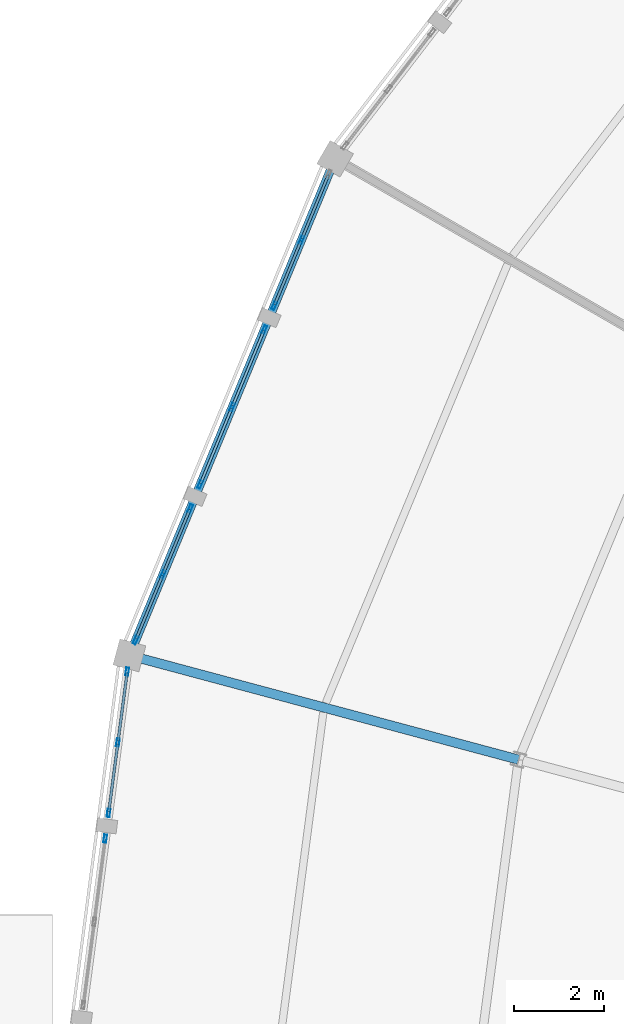
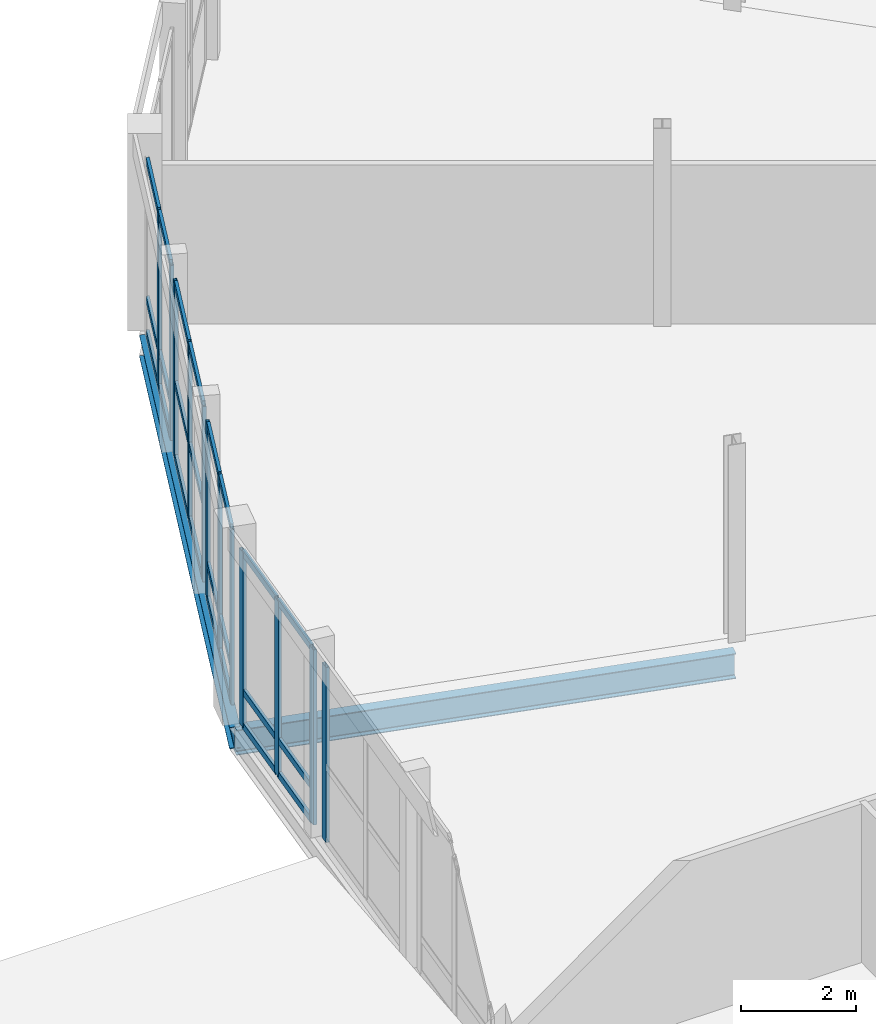
# One storey, part 52 of 170: 36 members, 2 beams, 5 elements without a shape of their own.
"""IFC4 building model written with IfcOpenShell, lengths in metres."""

from ifc_helpers import new_model, si_unit, direction, frame, origin, origin_2d, place, context, subcontext, project, spatial, hollow_rectangle, i_section, extrude, material, material_profile, profile_set, type_object, element, aggregate, save


model = new_model("IFC4")

# Units and contexts
model_context = context("Model", 3, precision=1e-05, world=origin(), true_north=direction((0.0, 1.0)))
body_context = subcontext(model_context, "Body", "Model", "MODEL_VIEW")
ifc_project = project(units=[si_unit("LENGTHUNIT", "METRE"), si_unit("AREAUNIT", "SQUARE_METRE"), si_unit("VOLUMEUNIT", "CUBIC_METRE"), si_unit("PLANEANGLEUNIT", "RADIAN"), si_unit("MASSUNIT", "GRAM", prefix="KILO")], contexts=[model_context])

# Site, building, storey
site_placement = place(None, origin())
site = spatial("IfcSite", under=ifc_project, at=site_placement, CompositionType="ELEMENT")
building_placement = place(site_placement, origin())
building = spatial("IfcBuilding", under=site, at=building_placement, Name="Vondelvale Polytechnic", CompositionType="ELEMENT")
storey_placement = place(building_placement, frame((0.0, 0.0, 5.39990234375)))
storey = spatial("IfcBuildingStorey", under=building, at=storey_placement, Name="L01", CompositionType="ELEMENT", Elevation=5.39990234375)

# Beams
ifc_material_1 = material(Name="Steel 300PLUS (fy = 300 MPa)", Category="steel")
ifc_material_profile_1 = material_profile(ifc_material_1, i_section(OverallWidth=0.18994140625, OverallDepth=0.45703125, WebThickness=0.009033203125, FlangeThickness=0.014404296875, FilletRadius=0.011474609375, at=origin_2d()), Name="460UB74.6")
ifc_profile_set_1 = profile_set([ifc_material_profile_1], Name="Steel 300PLUS (fy = 300 MPa)")
beam_type_1 = type_object("IfcBeamType", Name="BM-UB460", PredefinedType="BEAM", material=ifc_profile_set_1)
beam_1_placement = place(storey_placement, frame((62.162841796875, 95.0, -0.50830078125), z_axis=(-0.382688765072, -0.923877323614, 0.0), x_axis=(0.923877323614, -0.382688765072, 0.0)))
element("IfcBeam", 1, at=beam_1_placement, inside=storey, type_object=beam_type_1, Name="L01 RB B-13", PredefinedType="BEAM", context=body_context, shape_type="SweptSolid", body=[
    extrude(i_section(OverallWidth=0.18994140625, OverallDepth=0.45703125, WebThickness=0.009033203125, FlangeThickness=0.014404296875, FilletRadius=0.011474609375, at=origin_2d()), origin(), (0.0, 0.0, 1.0), 12.00830078125),
])
ifc_material_profile_2 = material_profile(ifc_material_1, i_section(OverallWidth=0.208984375, OverallDepth=0.532958984375, WebThickness=0.01025390625, FlangeThickness=0.015625, FilletRadius=0.013916015625, at=origin_2d()), Name="530UB92.4")
ifc_profile_set_2 = profile_set([ifc_material_profile_2], Name="Steel 300PLUS (fy = 300 MPa)")
beam_type_2 = type_object("IfcBeamType", Name="BM-UB530", PredefinedType="BEAM", material=ifc_profile_set_2)
beam_2_placement = place(storey_placement, frame((66.2607421875, 81.576416015625, -0.54638671875), z_axis=(-0.965926740751, 0.25881563226, 0.0), x_axis=(-0.25881563226, -0.965926740751, 0.0)))
element("IfcBeam", 2, at=beam_2_placement, inside=storey, type_object=beam_type_2, Name="L01 RG B-11", PredefinedType="BEAM", context=body_context, shape_type="SweptSolid", body=[
    extrude(i_section(OverallWidth=0.208984375, OverallDepth=0.532958984375, WebThickness=0.01025390625, FlangeThickness=0.015625, FilletRadius=0.013916015625, at=origin_2d()), origin(), (0.0, 0.0, 1.0), 9.0),
])

# Curtain wall, members
ifc_material_2 = material(Name="Glulam GL18 structural Tasmanian oak (fb = 42 MPa)", Category="wood")
curtain_wall_type = type_object("IfcCurtainWallType", Name="CW-RING-OUTER", PredefinedType="NOTDEFINED", material=ifc_material_2)
curtain_wall_1_placement = place(storey_placement, origin())
curtain_wall_1 = element("IfcCurtainWall", 3, at=curtain_wall_1_placement, inside=storey, type_object=curtain_wall_type, Name="L01 architectural curtain wall CW-04-230", PredefinedType="NOTDEFINED")
ifc_material_3 = material(Name="Anodised extruded aluminium 6063-T6", Category="aluminium")
ifc_material_profile_3 = material_profile(ifc_material_3, hollow_rectangle(XDim=0.06494140625, YDim=0.179931640625, WallThickness=0.00390625, at=origin_2d()), Name="CW-MUL-180x65")
ifc_profile_set_3 = profile_set([ifc_material_profile_3], Name="Anodised extruded aluminium 6063-T6")
member_type_1 = type_object("IfcMemberType", Name="CW-MUL-65x180", PredefinedType="MULLION", material=ifc_profile_set_3)
member_1_placement = place(storey_placement, frame((61.41259765625, 93.18896484375, 0.0), z_axis=(0.0, 0.0, 1.0), x_axis=(0.923882033442, -0.382677394529, 0.0)))
member_1 = element("IfcMember", 4, at=member_1_placement, type_object=member_type_1, Name="CW-04-230 mullion 2", PredefinedType="MULLION", context=body_context, shape_type="SweptSolid", body=[
    extrude(hollow_rectangle(XDim=0.06494140625, YDim=0.179931640625, WallThickness=0.00390625, at=origin_2d()), origin(), (0.0, 0.0, 1.0), 3.72021484375),
])
member_2_placement = place(storey_placement, frame((60.80224609375, 91.71533203125, 0.0), z_axis=(0.0, 0.0, 1.0), x_axis=(0.923882033442, -0.382677394529, 0.0)))
member_2 = element("IfcMember", 5, at=member_2_placement, type_object=member_type_1, Name="CW-04-230 mullion 3", PredefinedType="MULLION", context=body_context, shape_type="SweptSolid", body=[
    extrude(hollow_rectangle(XDim=0.06494140625, YDim=0.179931640625, WallThickness=0.00390625, at=origin_2d()), origin(), (0.0, 0.0, 1.0), 3.72021484375),
])

curtain_wall_2_placement = place(storey_placement, origin())
curtain_wall_2 = element("IfcCurtainWall", 6, at=curtain_wall_2_placement, inside=storey, type_object=curtain_wall_type, Name="L01 architectural curtain wall CW-04-231", PredefinedType="NOTDEFINED")
member_3_placement = place(storey_placement, frame((60.582275390625, 91.18408203125, 0.0), z_axis=(0.0, 0.0, 1.0), x_axis=(0.92387490701, -0.382694599123, 0.0)))
member_3 = element("IfcMember", 7, at=member_3_placement, type_object=member_type_1, Name="CW-04-231 mullion 1", PredefinedType="MULLION", context=body_context, shape_type="SweptSolid", body=[
    extrude(hollow_rectangle(XDim=0.06494140625, YDim=0.179931640625, WallThickness=0.00390625, at=origin_2d()), origin(), (0.0, 0.0, 1.0), 3.72021484375),
])
member_4_placement = place(storey_placement, frame((59.864990234375, 89.452880859375, 0.0), z_axis=(0.0, 0.0, 1.0), x_axis=(0.92387490701, -0.382694599123, 0.0)))
member_4 = element("IfcMember", 8, at=member_4_placement, type_object=member_type_1, Name="CW-04-231 mullion 2", PredefinedType="MULLION", context=body_context, shape_type="SweptSolid", body=[
    extrude(hollow_rectangle(XDim=0.06494140625, YDim=0.179931640625, WallThickness=0.00390625, at=origin_2d()), origin(), (0.0, 0.0, 1.0), 3.72021484375),
])
member_5_placement = place(storey_placement, frame((59.14794921875, 87.721435546875, 0.0), z_axis=(0.0, 0.0, 1.0), x_axis=(0.92387490701, -0.382694599123, 0.0)))
member_5 = element("IfcMember", 9, at=member_5_placement, type_object=member_type_1, Name="CW-04-231 mullion 3", PredefinedType="MULLION", context=body_context, shape_type="SweptSolid", body=[
    extrude(hollow_rectangle(XDim=0.06494140625, YDim=0.179931640625, WallThickness=0.00390625, at=origin_2d()), origin(), (0.0, 0.0, 1.0), 3.72021484375),
])

curtain_wall_3_placement = place(storey_placement, origin())
curtain_wall_3 = element("IfcCurtainWall", 10, at=curtain_wall_3_placement, inside=storey, type_object=curtain_wall_type, Name="L01 architectural curtain wall CW-04-232", PredefinedType="NOTDEFINED")
member_6_placement = place(storey_placement, frame((58.927978515625, 87.190185546875, 0.0), z_axis=(0.0, 0.0, 1.0), x_axis=(0.923882033442, -0.382677394529, 0.0)))
member_6 = element("IfcMember", 11, at=member_6_placement, type_object=member_type_1, Name="CW-04-232 mullion 1", PredefinedType="MULLION", context=body_context, shape_type="SweptSolid", body=[
    extrude(hollow_rectangle(XDim=0.06494140625, YDim=0.179931640625, WallThickness=0.00390625, at=origin_2d()), origin(), (0.0, 0.0, 1.0), 3.72021484375),
])
member_7_placement = place(storey_placement, frame((58.3173828125, 85.716796875, 0.0), z_axis=(0.0, 0.0, 1.0), x_axis=(0.923882033442, -0.382677394529, 0.0)))
member_7 = element("IfcMember", 12, at=member_7_placement, type_object=member_type_1, Name="CW-04-232 mullion 2", PredefinedType="MULLION", context=body_context, shape_type="SweptSolid", body=[
    extrude(hollow_rectangle(XDim=0.06494140625, YDim=0.179931640625, WallThickness=0.00390625, at=origin_2d()), origin(), (0.0, 0.0, 1.0), 3.72021484375),
])
member_8_placement = place(storey_placement, frame((57.70703125, 84.2431640625, 0.0), z_axis=(0.0, 0.0, 1.0), x_axis=(0.923882033442, -0.382677394529, 0.0)))
member_8 = element("IfcMember", 13, at=member_8_placement, type_object=member_type_1, Name="CW-04-232 mullion 3", PredefinedType="MULLION", context=body_context, shape_type="SweptSolid", body=[
    extrude(hollow_rectangle(XDim=0.06494140625, YDim=0.179931640625, WallThickness=0.00390625, at=origin_2d()), origin(), (0.0, 0.0, 1.0), 3.72021484375),
])

curtain_wall_4_placement = place(storey_placement, origin())
curtain_wall_4 = element("IfcCurtainWall", 14, at=curtain_wall_4_placement, inside=storey, type_object=curtain_wall_type, Name="L01 architectural curtain wall CW-04-245", PredefinedType="NOTDEFINED")
member_9_placement = place(storey_placement, frame((57.519775390625, 83.54345703125, 0.0), z_axis=(0.0, 0.0, 1.0), x_axis=(0.991443102996, -0.130539547729, 0.0)))
member_9 = element("IfcMember", 15, at=member_9_placement, type_object=member_type_1, Name="CW-04-245 mullion 1", PredefinedType="MULLION", context=body_context, shape_type="SweptSolid", body=[
    extrude(hollow_rectangle(XDim=0.06494140625, YDim=0.179931640625, WallThickness=0.00390625, at=origin_2d()), origin(), (0.0, 0.0, 1.0), 3.72021484375),
])
member_10_placement = place(storey_placement, frame((57.3115234375, 81.962158203125, 0.0), z_axis=(0.0, 0.0, 1.0), x_axis=(0.991443102996, -0.130539547729, 0.0)))
member_10 = element("IfcMember", 16, at=member_10_placement, type_object=member_type_1, Name="CW-04-245 mullion 2", PredefinedType="MULLION", context=body_context, shape_type="SweptSolid", body=[
    extrude(hollow_rectangle(XDim=0.06494140625, YDim=0.179931640625, WallThickness=0.00390625, at=origin_2d()), origin(), (0.0, 0.0, 1.0), 3.72021484375),
])
member_11_placement = place(storey_placement, frame((57.103271484375, 80.380859375, 0.0), z_axis=(0.0, 0.0, 1.0), x_axis=(0.991443102996, -0.130539547729, 0.0)))
member_11 = element("IfcMember", 17, at=member_11_placement, type_object=member_type_1, Name="CW-04-245 mullion 3", PredefinedType="MULLION", context=body_context, shape_type="SweptSolid", body=[
    extrude(hollow_rectangle(XDim=0.06494140625, YDim=0.179931640625, WallThickness=0.00390625, at=origin_2d()), origin(), (0.0, 0.0, 1.0), 3.72021484375),
])

# Curtain wall, member
curtain_wall_5_placement = place(storey_placement, origin())
curtain_wall_5 = element("IfcCurtainWall", 18, at=curtain_wall_5_placement, inside=storey, type_object=curtain_wall_type, Name="L01 architectural curtain wall CW-04-246", PredefinedType="NOTDEFINED")
member_12_placement = place(storey_placement, frame((57.0283203125, 79.810791015625, 0.0), z_axis=(0.0, 0.0, 1.0), x_axis=(0.991448671082, -0.130497251349, 0.0)))
member_12 = element("IfcMember", 19, at=member_12_placement, type_object=member_type_1, Name="CW-04-246 mullion 1", PredefinedType="MULLION", context=body_context, shape_type="SweptSolid", body=[
    extrude(hollow_rectangle(XDim=0.06494140625, YDim=0.179931640625, WallThickness=0.00390625, at=origin_2d()), origin(), (0.0, 0.0, 1.0), 3.72021484375),
])
aggregate(curtain_wall_5, [member_12])

# Member
ifc_material_profile_4 = material_profile(ifc_material_3, hollow_rectangle(XDim=0.06005859375, YDim=0.139892578125, WallThickness=0.00341796875, at=origin_2d()), Name="CW-TRN-140x60")
ifc_profile_set_4 = profile_set([ifc_material_profile_4], Name="Anodised extruded aluminium 6063-T6")
member_type_2 = type_object("IfcMemberType", Name="CW-TRN-60x140", PredefinedType="USERDEFINED", material=ifc_profile_set_4)
member_13_placement = place(storey_placement, frame((62.0107421875, 94.632568359375, 0.030029296875), z_axis=(-0.382779237206, -0.923839843027, 0.0), x_axis=(0.923839843027, -0.382779237206, 0.0)))
member_13 = element("IfcMember", 20, at=member_13_placement, type_object=member_type_2, Name="CW-04-230 transom 1.1", ObjectType="TRANSOM", PredefinedType="USERDEFINED", context=body_context, shape_type="SweptSolid", body=[
    extrude(hollow_rectangle(XDim=0.06005859375, YDim=0.139892578125, WallThickness=0.00341796875, at=origin_2d()), origin(), (0.0, 0.0, 1.0), 1.530029296875),
])

member_14_placement = place(storey_placement, frame((62.0107421875, 94.632568359375, 0.75), z_axis=(-0.382779237206, -0.923839843027, 0.0), x_axis=(0.923839843027, -0.382779237206, 0.0)))
member_14 = element("IfcMember", 21, at=member_14_placement, type_object=member_type_2, Name="CW-04-230 transom 1.2", ObjectType="TRANSOM", PredefinedType="USERDEFINED", context=body_context, shape_type="SweptSolid", body=[
    extrude(hollow_rectangle(XDim=0.06005859375, YDim=0.139892578125, WallThickness=0.00341796875, at=origin_2d()), origin(), (0.0, 0.0, 1.0), 1.530029296875),
])

member_15_placement = place(storey_placement, frame((62.0107421875, 94.632568359375, 3.690185546875), z_axis=(-0.382779237206, -0.923839843027, 0.0), x_axis=(0.923839843027, -0.382779237206, 0.0)))
member_15 = element("IfcMember", 22, at=member_15_placement, type_object=member_type_2, Name="CW-04-230 transom 1.3", ObjectType="TRANSOM", PredefinedType="USERDEFINED", context=body_context, shape_type="SweptSolid", body=[
    extrude(hollow_rectangle(XDim=0.06005859375, YDim=0.139892578125, WallThickness=0.00341796875, at=origin_2d()), origin(), (0.0, 0.0, 1.0), 1.530029296875),
])

member_16_placement = place(storey_placement, frame((61.400146484375, 93.158935546875, 0.030029296875), z_axis=(-0.382643045304, -0.923896260346, 0.0), x_axis=(0.923896260346, -0.382643045304, 0.0)))
member_16 = element("IfcMember", 23, at=member_16_placement, type_object=member_type_2, Name="CW-04-230 transom 2.1", ObjectType="TRANSOM", PredefinedType="USERDEFINED", context=body_context, shape_type="SweptSolid", body=[
    extrude(hollow_rectangle(XDim=0.06005859375, YDim=0.139892578125, WallThickness=0.00341796875, at=origin_2d()), origin(), (0.0, 0.0, 1.0), 1.530029296875),
])

member_17_placement = place(storey_placement, frame((61.400146484375, 93.158935546875, 0.75), z_axis=(-0.382643045304, -0.923896260346, 0.0), x_axis=(0.923896260346, -0.382643045304, 0.0)))
member_17 = element("IfcMember", 24, at=member_17_placement, type_object=member_type_2, Name="CW-04-230 transom 2.2", ObjectType="TRANSOM", PredefinedType="USERDEFINED", context=body_context, shape_type="SweptSolid", body=[
    extrude(hollow_rectangle(XDim=0.06005859375, YDim=0.139892578125, WallThickness=0.00341796875, at=origin_2d()), origin(), (0.0, 0.0, 1.0), 1.530029296875),
])

member_18_placement = place(storey_placement, frame((61.400146484375, 93.158935546875, 3.690185546875), z_axis=(-0.382643045304, -0.923896260346, 0.0), x_axis=(0.923896260346, -0.382643045304, 0.0)))
member_18 = element("IfcMember", 25, at=member_18_placement, type_object=member_type_2, Name="CW-04-230 transom 2.3", ObjectType="TRANSOM", PredefinedType="USERDEFINED", context=body_context, shape_type="SweptSolid", body=[
    extrude(hollow_rectangle(XDim=0.06005859375, YDim=0.139892578125, WallThickness=0.00341796875, at=origin_2d()), origin(), (0.0, 0.0, 1.0), 1.530029296875),
])

aggregate(curtain_wall_1, [member_1, member_2, member_13, member_14, member_15, member_16, member_17, member_18])

member_19_placement = place(storey_placement, frame((60.56982421875, 91.154052734375, 0.030029296875), z_axis=(-0.382765012338, -0.92384573676, 0.0), x_axis=(0.92384573676, -0.382765012338, 0.0)))
member_19 = element("IfcMember", 26, at=member_19_placement, type_object=member_type_2, Name="CW-04-231 transom 1.1", ObjectType="TRANSOM", PredefinedType="USERDEFINED", context=body_context, shape_type="SweptSolid", body=[
    extrude(hollow_rectangle(XDim=0.06005859375, YDim=0.139892578125, WallThickness=0.00341796875, at=origin_2d()), origin(), (0.0, 0.0, 1.0), 1.808837890625),
])

member_20_placement = place(storey_placement, frame((60.56982421875, 91.154052734375, 1.60009765625), z_axis=(-0.382765012338, -0.92384573676, 0.0), x_axis=(0.92384573676, -0.382765012338, 0.0)))
member_20 = element("IfcMember", 27, at=member_20_placement, type_object=member_type_2, Name="CW-04-231 transom 1.2", ObjectType="TRANSOM", PredefinedType="USERDEFINED", context=body_context, shape_type="SweptSolid", body=[
    extrude(hollow_rectangle(XDim=0.06005859375, YDim=0.139892578125, WallThickness=0.00341796875, at=origin_2d()), origin(), (0.0, 0.0, 1.0), 1.808837890625),
])

member_21_placement = place(storey_placement, frame((60.56982421875, 91.154052734375, 3.690185546875), z_axis=(-0.382765012338, -0.92384573676, 0.0), x_axis=(0.92384573676, -0.382765012338, 0.0)))
member_21 = element("IfcMember", 28, at=member_21_placement, type_object=member_type_2, Name="CW-04-231 transom 1.3", ObjectType="TRANSOM", PredefinedType="USERDEFINED", context=body_context, shape_type="SweptSolid", body=[
    extrude(hollow_rectangle(XDim=0.06005859375, YDim=0.139892578125, WallThickness=0.00341796875, at=origin_2d()), origin(), (0.0, 0.0, 1.0), 1.808837890625),
])

member_22_placement = place(storey_placement, frame((59.852783203125, 89.4228515625, 0.030029296875), z_axis=(-0.382717291485, -0.923865506878, 0.0), x_axis=(0.923865506878, -0.382717291485, 0.0)))
member_22 = element("IfcMember", 29, at=member_22_placement, type_object=member_type_2, Name="CW-04-231 transom 2.1", ObjectType="TRANSOM", PredefinedType="USERDEFINED", context=body_context, shape_type="SweptSolid", body=[
    extrude(hollow_rectangle(XDim=0.06005859375, YDim=0.139892578125, WallThickness=0.00341796875, at=origin_2d()), origin(), (0.0, 0.0, 1.0), 1.80908203125),
])

member_23_placement = place(storey_placement, frame((59.852783203125, 89.4228515625, 1.60009765625), z_axis=(-0.382717291485, -0.923865506878, 0.0), x_axis=(0.923865506878, -0.382717291485, 0.0)))
member_23 = element("IfcMember", 30, at=member_23_placement, type_object=member_type_2, Name="CW-04-231 transom 2.2", ObjectType="TRANSOM", PredefinedType="USERDEFINED", context=body_context, shape_type="SweptSolid", body=[
    extrude(hollow_rectangle(XDim=0.06005859375, YDim=0.139892578125, WallThickness=0.00341796875, at=origin_2d()), origin(), (0.0, 0.0, 1.0), 1.80908203125),
])

member_24_placement = place(storey_placement, frame((59.852783203125, 89.4228515625, 3.690185546875), z_axis=(-0.382717291485, -0.923865506878, 0.0), x_axis=(0.923865506878, -0.382717291485, 0.0)))
member_24 = element("IfcMember", 31, at=member_24_placement, type_object=member_type_2, Name="CW-04-231 transom 2.3", ObjectType="TRANSOM", PredefinedType="USERDEFINED", context=body_context, shape_type="SweptSolid", body=[
    extrude(hollow_rectangle(XDim=0.06005859375, YDim=0.139892578125, WallThickness=0.00341796875, at=origin_2d()), origin(), (0.0, 0.0, 1.0), 1.80908203125),
])

aggregate(curtain_wall_2, [member_3, member_4, member_5, member_19, member_20, member_21, member_22, member_23, member_24])

member_25_placement = place(storey_placement, frame((58.91552734375, 87.16015625, 0.030029296875), z_axis=(-0.382835668721, -0.923816459452, 0.0), x_axis=(0.923816459452, -0.382835668721, 0.0)))
member_25 = element("IfcMember", 32, at=member_25_placement, type_object=member_type_2, Name="CW-04-232 transom 1.1", ObjectType="TRANSOM", PredefinedType="USERDEFINED", context=body_context, shape_type="SweptSolid", body=[
    extrude(hollow_rectangle(XDim=0.06005859375, YDim=0.139892578125, WallThickness=0.00341796875, at=origin_2d()), origin(), (0.0, 0.0, 1.0), 1.52978515625),
])

member_26_placement = place(storey_placement, frame((58.91552734375, 87.16015625, 0.75), z_axis=(-0.382835668721, -0.923816459452, 0.0), x_axis=(0.923816459452, -0.382835668721, 0.0)))
member_26 = element("IfcMember", 33, at=member_26_placement, type_object=member_type_2, Name="CW-04-232 transom 1.2", ObjectType="TRANSOM", PredefinedType="USERDEFINED", context=body_context, shape_type="SweptSolid", body=[
    extrude(hollow_rectangle(XDim=0.06005859375, YDim=0.139892578125, WallThickness=0.00341796875, at=origin_2d()), origin(), (0.0, 0.0, 1.0), 1.52978515625),
])

member_27_placement = place(storey_placement, frame((58.91552734375, 87.16015625, 3.690185546875), z_axis=(-0.382835668721, -0.923816459452, 0.0), x_axis=(0.923816459452, -0.382835668721, 0.0)))
member_27 = element("IfcMember", 34, at=member_27_placement, type_object=member_type_2, Name="CW-04-232 transom 1.3", ObjectType="TRANSOM", PredefinedType="USERDEFINED", context=body_context, shape_type="SweptSolid", body=[
    extrude(hollow_rectangle(XDim=0.06005859375, YDim=0.139892578125, WallThickness=0.00341796875, at=origin_2d()), origin(), (0.0, 0.0, 1.0), 1.52978515625),
])

member_28_placement = place(storey_placement, frame((58.30517578125, 85.686767578125, 0.030029296875), z_axis=(-0.382779237206, -0.923839843027, 0.0), x_axis=(0.923839843027, -0.382779237206, 0.0)))
member_28 = element("IfcMember", 35, at=member_28_placement, type_object=member_type_2, Name="CW-04-232 transom 2.1", ObjectType="TRANSOM", PredefinedType="USERDEFINED", context=body_context, shape_type="SweptSolid", body=[
    extrude(hollow_rectangle(XDim=0.06005859375, YDim=0.139892578125, WallThickness=0.00341796875, at=origin_2d()), origin(), (0.0, 0.0, 1.0), 1.530029296875),
])

member_29_placement = place(storey_placement, frame((58.30517578125, 85.686767578125, 0.75), z_axis=(-0.382779237206, -0.923839843027, 0.0), x_axis=(0.923839843027, -0.382779237206, 0.0)))
member_29 = element("IfcMember", 36, at=member_29_placement, type_object=member_type_2, Name="CW-04-232 transom 2.2", ObjectType="TRANSOM", PredefinedType="USERDEFINED", context=body_context, shape_type="SweptSolid", body=[
    extrude(hollow_rectangle(XDim=0.06005859375, YDim=0.139892578125, WallThickness=0.00341796875, at=origin_2d()), origin(), (0.0, 0.0, 1.0), 1.530029296875),
])

member_30_placement = place(storey_placement, frame((58.30517578125, 85.686767578125, 3.690185546875), z_axis=(-0.382779237206, -0.923839843027, 0.0), x_axis=(0.923839843027, -0.382779237206, 0.0)))
member_30 = element("IfcMember", 37, at=member_30_placement, type_object=member_type_2, Name="CW-04-232 transom 2.3", ObjectType="TRANSOM", PredefinedType="USERDEFINED", context=body_context, shape_type="SweptSolid", body=[
    extrude(hollow_rectangle(XDim=0.06005859375, YDim=0.139892578125, WallThickness=0.00341796875, at=origin_2d()), origin(), (0.0, 0.0, 1.0), 1.530029296875),
])

aggregate(curtain_wall_3, [member_6, member_7, member_8, member_25, member_26, member_27, member_28, member_29, member_30])

member_31_placement = place(storey_placement, frame((57.515625, 83.511474609375, 0.030029296875), z_axis=(-0.13066912162, -0.99142603388, 0.0), x_axis=(0.99142603388, -0.13066912162, 0.0)))
member_31 = element("IfcMember", 38, at=member_31_placement, type_object=member_type_2, Name="CW-04-245 transom 1.1", ObjectType="TRANSOM", PredefinedType="USERDEFINED", context=body_context, shape_type="SweptSolid", body=[
    extrude(hollow_rectangle(XDim=0.06005859375, YDim=0.139892578125, WallThickness=0.00341796875, at=origin_2d()), origin(), (0.0, 0.0, 1.0), 1.5302734375),
])

member_32_placement = place(storey_placement, frame((57.515625, 83.511474609375, 0.75), z_axis=(-0.13066912162, -0.99142603388, 0.0), x_axis=(0.99142603388, -0.13066912162, 0.0)))
member_32 = element("IfcMember", 39, at=member_32_placement, type_object=member_type_2, Name="CW-04-245 transom 1.2", ObjectType="TRANSOM", PredefinedType="USERDEFINED", context=body_context, shape_type="SweptSolid", body=[
    extrude(hollow_rectangle(XDim=0.06005859375, YDim=0.139892578125, WallThickness=0.00341796875, at=origin_2d()), origin(), (0.0, 0.0, 1.0), 1.5302734375),
])

member_33_placement = place(storey_placement, frame((57.515625, 83.511474609375, 3.690185546875), z_axis=(-0.13066912162, -0.99142603388, 0.0), x_axis=(0.99142603388, -0.13066912162, 0.0)))
member_33 = element("IfcMember", 40, at=member_33_placement, type_object=member_type_2, Name="CW-04-245 transom 1.3", ObjectType="TRANSOM", PredefinedType="USERDEFINED", context=body_context, shape_type="SweptSolid", body=[
    extrude(hollow_rectangle(XDim=0.06005859375, YDim=0.139892578125, WallThickness=0.00341796875, at=origin_2d()), origin(), (0.0, 0.0, 1.0), 1.5302734375),
])

member_34_placement = place(storey_placement, frame((57.307373046875, 81.929931640625, 0.030029296875), z_axis=(-0.130532942165, -0.991443972703, 0.0), x_axis=(0.991443972703, -0.130532942165, 0.0)))
member_34 = element("IfcMember", 41, at=member_34_placement, type_object=member_type_2, Name="CW-04-245 transom 2.1", ObjectType="TRANSOM", PredefinedType="USERDEFINED", context=body_context, shape_type="SweptSolid", body=[
    extrude(hollow_rectangle(XDim=0.06005859375, YDim=0.139892578125, WallThickness=0.00341796875, at=origin_2d()), origin(), (0.0, 0.0, 1.0), 1.530029296875),
])

member_35_placement = place(storey_placement, frame((57.307373046875, 81.929931640625, 0.75), z_axis=(-0.130532942165, -0.991443972703, 0.0), x_axis=(0.991443972703, -0.130532942165, 0.0)))
member_35 = element("IfcMember", 42, at=member_35_placement, type_object=member_type_2, Name="CW-04-245 transom 2.2", ObjectType="TRANSOM", PredefinedType="USERDEFINED", context=body_context, shape_type="SweptSolid", body=[
    extrude(hollow_rectangle(XDim=0.06005859375, YDim=0.139892578125, WallThickness=0.00341796875, at=origin_2d()), origin(), (0.0, 0.0, 1.0), 1.530029296875),
])

member_36_placement = place(storey_placement, frame((57.307373046875, 81.929931640625, 3.690185546875), z_axis=(-0.130532942165, -0.991443972703, 0.0), x_axis=(0.991443972703, -0.130532942165, 0.0)))
member_36 = element("IfcMember", 43, at=member_36_placement, type_object=member_type_2, Name="CW-04-245 transom 2.3", ObjectType="TRANSOM", PredefinedType="USERDEFINED", context=body_context, shape_type="SweptSolid", body=[
    extrude(hollow_rectangle(XDim=0.06005859375, YDim=0.139892578125, WallThickness=0.00341796875, at=origin_2d()), origin(), (0.0, 0.0, 1.0), 1.530029296875),
])

aggregate(curtain_wall_4, [member_9, member_10, member_11, member_31, member_32, member_33, member_34, member_35, member_36])

save(model, "model.ifc")
